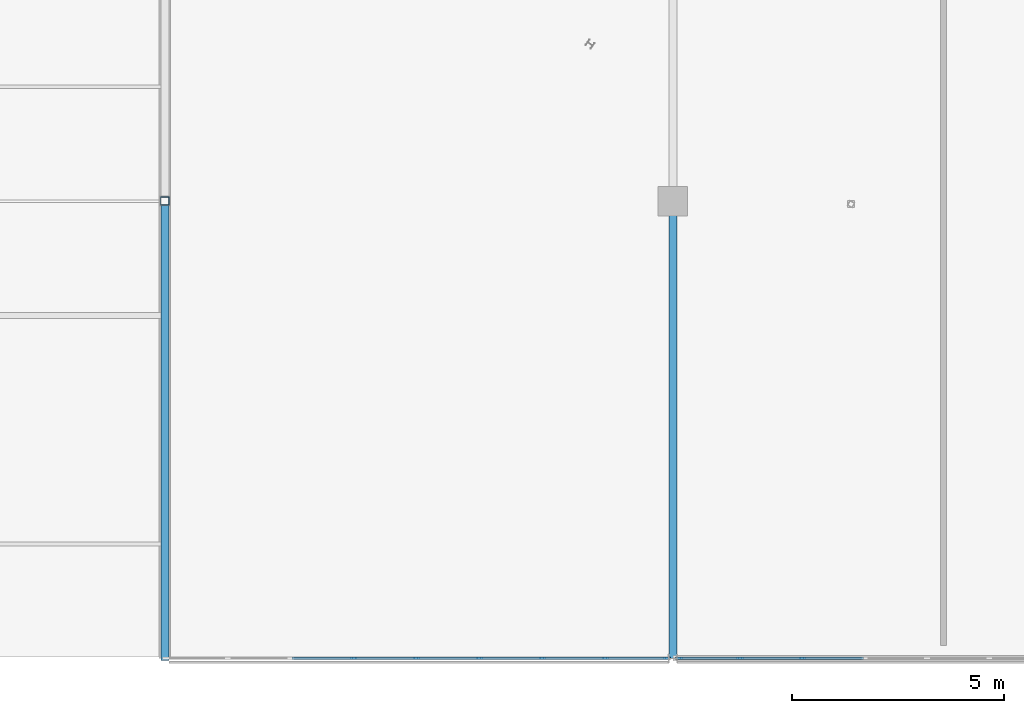
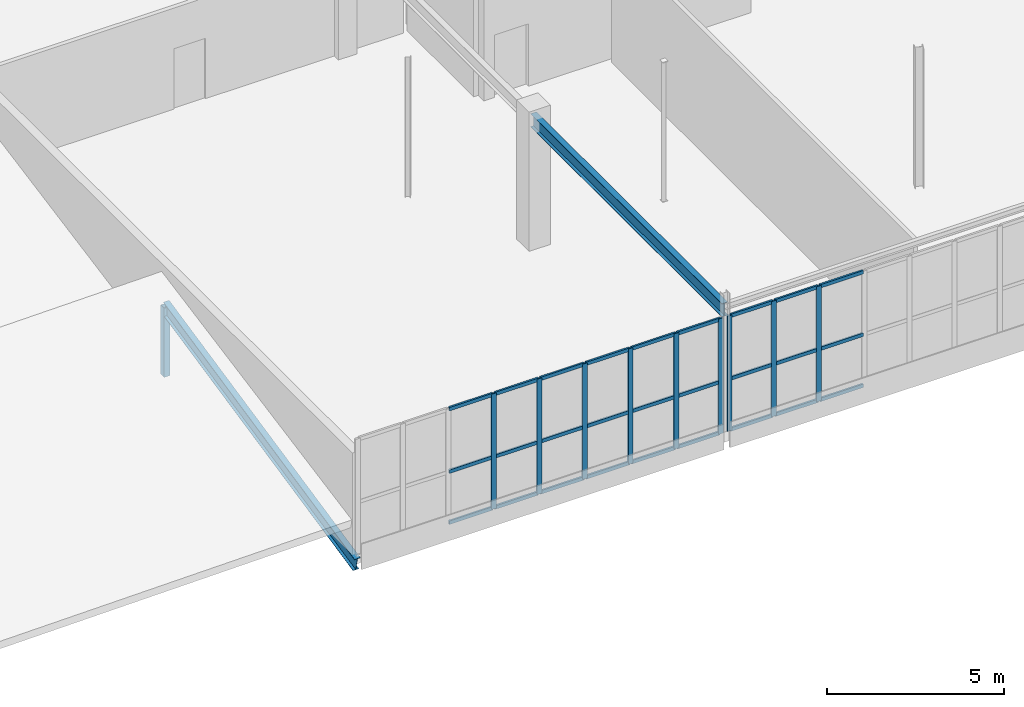
# One storey, part 67 of 226: 38 members, 1 beam, 2 elements without a shape of their own.
"""IFC4 building model written with IfcOpenShell, lengths in metres."""

from ifc_helpers import new_model, si_unit, direction, frame, origin, origin_2d, place, context, subcontext, project, spatial, rectangle, hollow_rectangle, i_section, extrude, material, layer, layer_set, material_profile, profile_set, type_object, element, aggregate, save


model = new_model("IFC4")

# Units and contexts
model_context = context("Model", 3, precision=1e-05, world=origin(), true_north=direction((0.0, 1.0)))
body_context = subcontext(model_context, "Body", "Model", "MODEL_VIEW")
ifc_project = project(units=[si_unit("LENGTHUNIT", "METRE"), si_unit("AREAUNIT", "SQUARE_METRE"), si_unit("VOLUMEUNIT", "CUBIC_METRE"), si_unit("PLANEANGLEUNIT", "RADIAN"), si_unit("MASSUNIT", "GRAM", prefix="KILO")], contexts=[model_context])

# Site, building, storey
site_placement = place(None, origin())
site = spatial("IfcSite", under=ifc_project, at=site_placement, CompositionType="ELEMENT")
building_placement = place(site_placement, origin())
building = spatial("IfcBuilding", under=site, at=building_placement, Name="Tarnwether General Hospital", CompositionType="ELEMENT")
storey_placement = place(building_placement, frame((0.0, 0.0, 4.800048828125)))
storey = spatial("IfcBuildingStorey", under=building, at=storey_placement, Name="L01", CompositionType="ELEMENT", Elevation=4.800048828125)

# Beam
ifc_material_1 = material(Name="Steel Grade 350 (350 MPa)", Category="steel")
ifc_material_profile_1 = material_profile(ifc_material_1, i_section(OverallWidth=0.18994140625, OverallDepth=0.45703125, WebThickness=0.009033203125, FlangeThickness=0.014404296875, at=origin_2d()), Name="460UB74.6")
ifc_profile_set_1 = profile_set([ifc_material_profile_1], Name="Steel Grade 350 (350 MPa)")
beam_type = type_object("IfcBeamType", Name="BM-G09", PredefinedType="BEAM", material=ifc_profile_set_1)
beam_placement = place(storey_placement, frame((60.0, 0.0, 4.216552734375), z_axis=(0.0, 1.0, 0.0), x_axis=(-1.0, 0.0, 0.0)))
element("IfcBeam", 1, at=beam_placement, inside=storey, type_object=beam_type, Name="Primary Girder BMG-L01-6000_0-6000_1080-1119", PredefinedType="BEAM", context=body_context, shape_type="SweptSolid", body=[
    extrude(i_section(OverallWidth=0.18994140625, OverallDepth=0.45703125, WebThickness=0.009033203125, FlangeThickness=0.014404296875, at=origin_2d()), origin(), (0.0, 0.0, 1.0), 10.800048828125),
])

# Curtain wall, members
ifc_material_2 = material(Name="Anodised aluminium", Category="aluminium")
ifc_layer = layer(ifc_material_2, 0.159912109375)
ifc_layer_set = layer_set([ifc_layer], Name="Anodised aluminium")
curtain_wall_type = type_object("IfcCurtainWallType", Name="CW-13", PredefinedType="NOTDEFINED", material=ifc_layer_set)
curtain_wall_1_placement = place(storey_placement, origin())
curtain_wall_1 = element("IfcCurtainWall", 2, at=curtain_wall_1_placement, inside=storey, type_object=curtain_wall_type, Name="Curtain Wall CWG-L01-719_0-0334", PredefinedType="NOTDEFINED")
ifc_material_3 = material(Name="Anodised aluminium", Category="aluminium")
ifc_material_profile_2 = material_profile(ifc_material_3, rectangle(XDim=0.06005859375, YDim=0.159912109375, at=origin_2d()), Name="ALU-MUL-60x160")
ifc_profile_set_2 = profile_set([ifc_material_profile_2], Name="Anodised aluminium")
member_type_1 = type_object("IfcMemberType", Name="CW-ML1", PredefinedType="MULLION", material=ifc_profile_set_2)
member_1_placement = place(storey_placement, frame((63.056884765625, 0.0, 0.0), z_axis=(0.0, 0.0, 1.0), x_axis=(0.0, -1.0, 0.0)))
member_1 = element("IfcMember", 3, at=member_1_placement, type_object=member_type_1, Name="CW-13 mullion 7", PredefinedType="MULLION", context=body_context, shape_type="SweptSolid", body=[
    extrude(rectangle(XDim=0.06005859375, YDim=0.159912109375, at=origin_2d()), origin(), (0.0, 0.0, 1.0), 3.972900390625),
])
member_2_placement = place(storey_placement, frame((61.5849609375, 0.0, 0.0), z_axis=(0.0, 0.0, 1.0), x_axis=(0.0, -1.0, 0.0)))
member_2 = element("IfcMember", 4, at=member_2_placement, type_object=member_type_1, Name="CW-13 mullion 8", PredefinedType="MULLION", context=body_context, shape_type="SweptSolid", body=[
    extrude(rectangle(XDim=0.06005859375, YDim=0.159912109375, at=origin_2d()), origin(), (0.0, 0.0, 1.0), 3.972900390625),
])
member_3_placement = place(storey_placement, frame((60.14306640625, 0.0, 0.0), z_axis=(0.0, 0.0, 1.0), x_axis=(0.0, -1.0, 0.0)))
member_3 = element("IfcMember", 5, at=member_3_placement, type_object=member_type_1, Name="CW-13 mullion 9", PredefinedType="MULLION", context=body_context, shape_type="SweptSolid", body=[
    extrude(rectangle(XDim=0.06005859375, YDim=0.159912109375, at=origin_2d()), origin(), (0.0, 0.0, 1.0), 3.972900390625),
])

curtain_wall_2_placement = place(storey_placement, origin())
curtain_wall_2 = element("IfcCurtainWall", 6, at=curtain_wall_2_placement, inside=storey, type_object=curtain_wall_type, Name="Curtain Wall CWG-L01-599_0-0335", PredefinedType="NOTDEFINED")
member_4_placement = place(storey_placement, frame((59.85693359375, 0.0, 0.0), z_axis=(0.0, 0.0, 1.0), x_axis=(0.0, -1.0, 0.0)))
member_4 = element("IfcMember", 7, at=member_4_placement, type_object=member_type_1, Name="CW-13 mullion 1", PredefinedType="MULLION", context=body_context, shape_type="SweptSolid", body=[
    extrude(rectangle(XDim=0.06005859375, YDim=0.159912109375, at=origin_2d()), origin(), (0.0, 0.0, 1.0), 3.972900390625),
])
member_5_placement = place(storey_placement, frame((58.401123046875, 0.0, 0.0), z_axis=(0.0, 0.0, 1.0), x_axis=(0.0, -1.0, 0.0)))
member_5 = element("IfcMember", 8, at=member_5_placement, type_object=member_type_1, Name="CW-13 mullion 2", PredefinedType="MULLION", context=body_context, shape_type="SweptSolid", body=[
    extrude(rectangle(XDim=0.06005859375, YDim=0.159912109375, at=origin_2d()), origin(), (0.0, 0.0, 1.0), 3.972900390625),
])
member_6_placement = place(storey_placement, frame((56.915283203125, 0.0, 0.0), z_axis=(0.0, 0.0, 1.0), x_axis=(0.0, -1.0, 0.0)))
member_6 = element("IfcMember", 9, at=member_6_placement, type_object=member_type_1, Name="CW-13 mullion 3", PredefinedType="MULLION", context=body_context, shape_type="SweptSolid", body=[
    extrude(rectangle(XDim=0.06005859375, YDim=0.159912109375, at=origin_2d()), origin(), (0.0, 0.0, 1.0), 3.972900390625),
])
member_7_placement = place(storey_placement, frame((55.429443359375, 0.0, 0.0), z_axis=(0.0, 0.0, 1.0), x_axis=(0.0, -1.0, 0.0)))
member_7 = element("IfcMember", 10, at=member_7_placement, type_object=member_type_1, Name="CW-13 mullion 4", PredefinedType="MULLION", context=body_context, shape_type="SweptSolid", body=[
    extrude(rectangle(XDim=0.06005859375, YDim=0.159912109375, at=origin_2d()), origin(), (0.0, 0.0, 1.0), 3.972900390625),
])
member_8_placement = place(storey_placement, frame((53.943603515625, 0.0, 0.0), z_axis=(0.0, 0.0, 1.0), x_axis=(0.0, -1.0, 0.0)))
member_8 = element("IfcMember", 11, at=member_8_placement, type_object=member_type_1, Name="CW-13 mullion 5", PredefinedType="MULLION", context=body_context, shape_type="SweptSolid", body=[
    extrude(rectangle(XDim=0.06005859375, YDim=0.159912109375, at=origin_2d()), origin(), (0.0, 0.0, 1.0), 3.972900390625),
])
member_9_placement = place(storey_placement, frame((52.45751953125, 0.0, 0.0), z_axis=(0.0, 0.0, 1.0), x_axis=(0.0, -1.0, 0.0)))
member_9 = element("IfcMember", 12, at=member_9_placement, type_object=member_type_1, Name="CW-13 mullion 6", PredefinedType="MULLION", context=body_context, shape_type="SweptSolid", body=[
    extrude(rectangle(XDim=0.06005859375, YDim=0.159912109375, at=origin_2d()), origin(), (0.0, 0.0, 1.0), 3.972900390625),
])

# Member
ifc_material_4 = material(Name="Anodised aluminium", Category="aluminium")
ifc_material_profile_3 = material_profile(ifc_material_4, rectangle(XDim=0.06005859375, YDim=0.1201171875, at=origin_2d()), Name="ALU-TRN-60x120")
ifc_profile_set_3 = profile_set([ifc_material_profile_3], Name="Anodised aluminium")
member_type_2 = type_object("IfcMemberType", Name="CW-TR1", PredefinedType="USERDEFINED", material=ifc_profile_set_3)
member_10_placement = place(storey_placement, frame((64.4990234375, 0.0, 0.030029296875), z_axis=(-1.0, 0.0, 0.0), x_axis=(0.0, -1.0, 0.0)))
member_10 = element("IfcMember", 13, at=member_10_placement, type_object=member_type_2, Name="CW-13 transom 6.1", ObjectType="TRANSOM", PredefinedType="USERDEFINED", context=body_context, shape_type="SweptSolid", body=[
    extrude(rectangle(XDim=0.06005859375, YDim=0.1201171875, at=origin_2d()), origin(), (0.0, 0.0, 1.0), 1.412109375),
])

member_11_placement = place(storey_placement, frame((64.4990234375, 0.0, 1.787841796875), z_axis=(-1.0, 0.0, 0.0), x_axis=(0.0, -1.0, 0.0)))
member_11 = element("IfcMember", 14, at=member_11_placement, type_object=member_type_2, Name="CW-13 transom 6.2", ObjectType="TRANSOM", PredefinedType="USERDEFINED", context=body_context, shape_type="SweptSolid", body=[
    extrude(rectangle(XDim=0.06005859375, YDim=0.1201171875, at=origin_2d()), origin(), (0.0, 0.0, 1.0), 1.412109375),
])

member_12_placement = place(storey_placement, frame((64.4990234375, 0.0, 3.94287109375), z_axis=(-1.0, 0.0, 0.0), x_axis=(0.0, -1.0, 0.0)))
member_12 = element("IfcMember", 15, at=member_12_placement, type_object=member_type_2, Name="CW-13 transom 6.3", ObjectType="TRANSOM", PredefinedType="USERDEFINED", context=body_context, shape_type="SweptSolid", body=[
    extrude(rectangle(XDim=0.06005859375, YDim=0.1201171875, at=origin_2d()), origin(), (0.0, 0.0, 1.0), 1.412109375),
])

member_13_placement = place(storey_placement, frame((63.027099609375, 0.0, 0.030029296875), z_axis=(-1.0, 0.0, 0.0), x_axis=(0.0, -1.0, 0.0)))
member_13 = element("IfcMember", 16, at=member_13_placement, type_object=member_type_2, Name="CW-13 transom 7.1", ObjectType="TRANSOM", PredefinedType="USERDEFINED", context=body_context, shape_type="SweptSolid", body=[
    extrude(rectangle(XDim=0.06005859375, YDim=0.1201171875, at=origin_2d()), origin(), (0.0, 0.0, 1.0), 1.412109375),
])

member_14_placement = place(storey_placement, frame((63.027099609375, 0.0, 1.787841796875), z_axis=(-1.0, 0.0, 0.0), x_axis=(0.0, -1.0, 0.0)))
member_14 = element("IfcMember", 17, at=member_14_placement, type_object=member_type_2, Name="CW-13 transom 7.2", ObjectType="TRANSOM", PredefinedType="USERDEFINED", context=body_context, shape_type="SweptSolid", body=[
    extrude(rectangle(XDim=0.06005859375, YDim=0.1201171875, at=origin_2d()), origin(), (0.0, 0.0, 1.0), 1.412109375),
])

member_15_placement = place(storey_placement, frame((63.027099609375, 0.0, 3.94287109375), z_axis=(-1.0, 0.0, 0.0), x_axis=(0.0, -1.0, 0.0)))
member_15 = element("IfcMember", 18, at=member_15_placement, type_object=member_type_2, Name="CW-13 transom 7.3", ObjectType="TRANSOM", PredefinedType="USERDEFINED", context=body_context, shape_type="SweptSolid", body=[
    extrude(rectangle(XDim=0.06005859375, YDim=0.1201171875, at=origin_2d()), origin(), (0.0, 0.0, 1.0), 1.412109375),
])

member_16_placement = place(storey_placement, frame((61.554931640625, 0.0, 0.030029296875), z_axis=(-1.0, 0.0, 0.0), x_axis=(0.0, -1.0, 0.0)))
member_16 = element("IfcMember", 19, at=member_16_placement, type_object=member_type_2, Name="CW-13 transom 8.1", ObjectType="TRANSOM", PredefinedType="USERDEFINED", context=body_context, shape_type="SweptSolid", body=[
    extrude(rectangle(XDim=0.06005859375, YDim=0.1201171875, at=origin_2d()), origin(), (0.0, 0.0, 1.0), 1.3818359375),
])

member_17_placement = place(storey_placement, frame((61.554931640625, 0.0, 1.787841796875), z_axis=(-1.0, 0.0, 0.0), x_axis=(0.0, -1.0, 0.0)))
member_17 = element("IfcMember", 20, at=member_17_placement, type_object=member_type_2, Name="CW-13 transom 8.2", ObjectType="TRANSOM", PredefinedType="USERDEFINED", context=body_context, shape_type="SweptSolid", body=[
    extrude(rectangle(XDim=0.06005859375, YDim=0.1201171875, at=origin_2d()), origin(), (0.0, 0.0, 1.0), 1.3818359375),
])

member_18_placement = place(storey_placement, frame((61.554931640625, 0.0, 3.94287109375), z_axis=(-1.0, 0.0, 0.0), x_axis=(0.0, -1.0, 0.0)))
member_18 = element("IfcMember", 21, at=member_18_placement, type_object=member_type_2, Name="CW-13 transom 8.3", ObjectType="TRANSOM", PredefinedType="USERDEFINED", context=body_context, shape_type="SweptSolid", body=[
    extrude(rectangle(XDim=0.06005859375, YDim=0.1201171875, at=origin_2d()), origin(), (0.0, 0.0, 1.0), 1.3818359375),
])

aggregate(curtain_wall_1, [member_1, member_2, member_3, member_10, member_11, member_12, member_13, member_14, member_15, member_16, member_17, member_18])

member_19_placement = place(storey_placement, frame((59.826904296875, 0.0, 0.030029296875), z_axis=(-1.0, 0.0, 0.0), x_axis=(0.0, -1.0, 0.0)))
member_19 = element("IfcMember", 22, at=member_19_placement, type_object=member_type_2, Name="CW-13 transom 1.1", ObjectType="TRANSOM", PredefinedType="USERDEFINED", context=body_context, shape_type="SweptSolid", body=[
    extrude(rectangle(XDim=0.06005859375, YDim=0.1201171875, at=origin_2d()), origin(), (0.0, 0.0, 1.0), 1.395751953125),
])

member_20_placement = place(storey_placement, frame((59.826904296875, 0.0, 1.787841796875), z_axis=(-1.0, 0.0, 0.0), x_axis=(0.0, -1.0, 0.0)))
member_20 = element("IfcMember", 23, at=member_20_placement, type_object=member_type_2, Name="CW-13 transom 1.2", ObjectType="TRANSOM", PredefinedType="USERDEFINED", context=body_context, shape_type="SweptSolid", body=[
    extrude(rectangle(XDim=0.06005859375, YDim=0.1201171875, at=origin_2d()), origin(), (0.0, 0.0, 1.0), 1.395751953125),
])

member_21_placement = place(storey_placement, frame((59.826904296875, 0.0, 3.94287109375), z_axis=(-1.0, 0.0, 0.0), x_axis=(0.0, -1.0, 0.0)))
member_21 = element("IfcMember", 24, at=member_21_placement, type_object=member_type_2, Name="CW-13 transom 1.3", ObjectType="TRANSOM", PredefinedType="USERDEFINED", context=body_context, shape_type="SweptSolid", body=[
    extrude(rectangle(XDim=0.06005859375, YDim=0.1201171875, at=origin_2d()), origin(), (0.0, 0.0, 1.0), 1.395751953125),
])

member_22_placement = place(storey_placement, frame((58.37109375, 0.0, 0.030029296875), z_axis=(-1.0, 0.0, 0.0), x_axis=(0.0, -1.0, 0.0)))
member_22 = element("IfcMember", 25, at=member_22_placement, type_object=member_type_2, Name="CW-13 transom 2.1", ObjectType="TRANSOM", PredefinedType="USERDEFINED", context=body_context, shape_type="SweptSolid", body=[
    extrude(rectangle(XDim=0.06005859375, YDim=0.1201171875, at=origin_2d()), origin(), (0.0, 0.0, 1.0), 1.42578125),
])

member_23_placement = place(storey_placement, frame((58.37109375, 0.0, 1.787841796875), z_axis=(-1.0, 0.0, 0.0), x_axis=(0.0, -1.0, 0.0)))
member_23 = element("IfcMember", 26, at=member_23_placement, type_object=member_type_2, Name="CW-13 transom 2.2", ObjectType="TRANSOM", PredefinedType="USERDEFINED", context=body_context, shape_type="SweptSolid", body=[
    extrude(rectangle(XDim=0.06005859375, YDim=0.1201171875, at=origin_2d()), origin(), (0.0, 0.0, 1.0), 1.42578125),
])

member_24_placement = place(storey_placement, frame((58.37109375, 0.0, 3.94287109375), z_axis=(-1.0, 0.0, 0.0), x_axis=(0.0, -1.0, 0.0)))
member_24 = element("IfcMember", 27, at=member_24_placement, type_object=member_type_2, Name="CW-13 transom 2.3", ObjectType="TRANSOM", PredefinedType="USERDEFINED", context=body_context, shape_type="SweptSolid", body=[
    extrude(rectangle(XDim=0.06005859375, YDim=0.1201171875, at=origin_2d()), origin(), (0.0, 0.0, 1.0), 1.42578125),
])

member_25_placement = place(storey_placement, frame((56.88525390625, 0.0, 0.030029296875), z_axis=(-1.0, 0.0, 0.0), x_axis=(0.0, -1.0, 0.0)))
member_25 = element("IfcMember", 28, at=member_25_placement, type_object=member_type_2, Name="CW-13 transom 3.1", ObjectType="TRANSOM", PredefinedType="USERDEFINED", context=body_context, shape_type="SweptSolid", body=[
    extrude(rectangle(XDim=0.06005859375, YDim=0.1201171875, at=origin_2d()), origin(), (0.0, 0.0, 1.0), 1.42578125),
])

member_26_placement = place(storey_placement, frame((56.88525390625, 0.0, 1.787841796875), z_axis=(-1.0, 0.0, 0.0), x_axis=(0.0, -1.0, 0.0)))
member_26 = element("IfcMember", 29, at=member_26_placement, type_object=member_type_2, Name="CW-13 transom 3.2", ObjectType="TRANSOM", PredefinedType="USERDEFINED", context=body_context, shape_type="SweptSolid", body=[
    extrude(rectangle(XDim=0.06005859375, YDim=0.1201171875, at=origin_2d()), origin(), (0.0, 0.0, 1.0), 1.42578125),
])

member_27_placement = place(storey_placement, frame((56.88525390625, 0.0, 3.94287109375), z_axis=(-1.0, 0.0, 0.0), x_axis=(0.0, -1.0, 0.0)))
member_27 = element("IfcMember", 30, at=member_27_placement, type_object=member_type_2, Name="CW-13 transom 3.3", ObjectType="TRANSOM", PredefinedType="USERDEFINED", context=body_context, shape_type="SweptSolid", body=[
    extrude(rectangle(XDim=0.06005859375, YDim=0.1201171875, at=origin_2d()), origin(), (0.0, 0.0, 1.0), 1.42578125),
])

member_28_placement = place(storey_placement, frame((55.3994140625, 0.0, 0.030029296875), z_axis=(-1.0, 0.0, 0.0), x_axis=(0.0, -1.0, 0.0)))
member_28 = element("IfcMember", 31, at=member_28_placement, type_object=member_type_2, Name="CW-13 transom 4.1", ObjectType="TRANSOM", PredefinedType="USERDEFINED", context=body_context, shape_type="SweptSolid", body=[
    extrude(rectangle(XDim=0.06005859375, YDim=0.1201171875, at=origin_2d()), origin(), (0.0, 0.0, 1.0), 1.426025390625),
])

member_29_placement = place(storey_placement, frame((55.3994140625, 0.0, 1.787841796875), z_axis=(-1.0, 0.0, 0.0), x_axis=(0.0, -1.0, 0.0)))
member_29 = element("IfcMember", 32, at=member_29_placement, type_object=member_type_2, Name="CW-13 transom 4.2", ObjectType="TRANSOM", PredefinedType="USERDEFINED", context=body_context, shape_type="SweptSolid", body=[
    extrude(rectangle(XDim=0.06005859375, YDim=0.1201171875, at=origin_2d()), origin(), (0.0, 0.0, 1.0), 1.426025390625),
])

member_30_placement = place(storey_placement, frame((55.3994140625, 0.0, 3.94287109375), z_axis=(-1.0, 0.0, 0.0), x_axis=(0.0, -1.0, 0.0)))
member_30 = element("IfcMember", 33, at=member_30_placement, type_object=member_type_2, Name="CW-13 transom 4.3", ObjectType="TRANSOM", PredefinedType="USERDEFINED", context=body_context, shape_type="SweptSolid", body=[
    extrude(rectangle(XDim=0.06005859375, YDim=0.1201171875, at=origin_2d()), origin(), (0.0, 0.0, 1.0), 1.426025390625),
])

member_31_placement = place(storey_placement, frame((53.91357421875, 0.0, 0.030029296875), z_axis=(-1.0, 0.0, 0.0), x_axis=(0.0, -1.0, 0.0)))
member_31 = element("IfcMember", 34, at=member_31_placement, type_object=member_type_2, Name="CW-13 transom 5.1", ObjectType="TRANSOM", PredefinedType="USERDEFINED", context=body_context, shape_type="SweptSolid", body=[
    extrude(rectangle(XDim=0.06005859375, YDim=0.1201171875, at=origin_2d()), origin(), (0.0, 0.0, 1.0), 1.426025390625),
])

member_32_placement = place(storey_placement, frame((53.91357421875, 0.0, 1.787841796875), z_axis=(-1.0, 0.0, 0.0), x_axis=(0.0, -1.0, 0.0)))
member_32 = element("IfcMember", 35, at=member_32_placement, type_object=member_type_2, Name="CW-13 transom 5.2", ObjectType="TRANSOM", PredefinedType="USERDEFINED", context=body_context, shape_type="SweptSolid", body=[
    extrude(rectangle(XDim=0.06005859375, YDim=0.1201171875, at=origin_2d()), origin(), (0.0, 0.0, 1.0), 1.426025390625),
])

member_33_placement = place(storey_placement, frame((53.91357421875, 0.0, 3.94287109375), z_axis=(-1.0, 0.0, 0.0), x_axis=(0.0, -1.0, 0.0)))
member_33 = element("IfcMember", 36, at=member_33_placement, type_object=member_type_2, Name="CW-13 transom 5.3", ObjectType="TRANSOM", PredefinedType="USERDEFINED", context=body_context, shape_type="SweptSolid", body=[
    extrude(rectangle(XDim=0.06005859375, YDim=0.1201171875, at=origin_2d()), origin(), (0.0, 0.0, 1.0), 1.426025390625),
])

member_34_placement = place(storey_placement, frame((52.427734375, 0.0, 0.030029296875), z_axis=(-1.0, 0.0, 0.0), x_axis=(0.0, -1.0, 0.0)))
member_34 = element("IfcMember", 37, at=member_34_placement, type_object=member_type_2, Name="CW-13 transom 6.1", ObjectType="TRANSOM", PredefinedType="USERDEFINED", context=body_context, shape_type="SweptSolid", body=[
    extrude(rectangle(XDim=0.06005859375, YDim=0.1201171875, at=origin_2d()), origin(), (0.0, 0.0, 1.0), 1.426025390625),
])

member_35_placement = place(storey_placement, frame((52.427734375, 0.0, 1.787841796875), z_axis=(-1.0, 0.0, 0.0), x_axis=(0.0, -1.0, 0.0)))
member_35 = element("IfcMember", 38, at=member_35_placement, type_object=member_type_2, Name="CW-13 transom 6.2", ObjectType="TRANSOM", PredefinedType="USERDEFINED", context=body_context, shape_type="SweptSolid", body=[
    extrude(rectangle(XDim=0.06005859375, YDim=0.1201171875, at=origin_2d()), origin(), (0.0, 0.0, 1.0), 1.426025390625),
])

member_36_placement = place(storey_placement, frame((52.427734375, 0.0, 3.94287109375), z_axis=(-1.0, 0.0, 0.0), x_axis=(0.0, -1.0, 0.0)))
member_36 = element("IfcMember", 39, at=member_36_placement, type_object=member_type_2, Name="CW-13 transom 6.3", ObjectType="TRANSOM", PredefinedType="USERDEFINED", context=body_context, shape_type="SweptSolid", body=[
    extrude(rectangle(XDim=0.06005859375, YDim=0.1201171875, at=origin_2d()), origin(), (0.0, 0.0, 1.0), 1.426025390625),
])

aggregate(curtain_wall_2, [member_4, member_5, member_6, member_7, member_8, member_9, member_19, member_20, member_21, member_22, member_23, member_24, member_25, member_26, member_27, member_28, member_29, member_30, member_31, member_32, member_33, member_34, member_35, member_36])

# Members
ifc_material_5 = material(Name="Steel Grade C350L0 (350 MPa)", Category="steel")
ifc_material_profile_4 = material_profile(ifc_material_5, hollow_rectangle(XDim=0.199951171875, YDim=0.199951171875, WallThickness=0.010009765625, at=origin_2d()), Name="SHS200x200x10")
ifc_profile_set_4 = profile_set([ifc_material_profile_4], Name="Steel Grade C350L0 (350 MPa)")
member_type_3 = type_object("IfcMemberType", Name="MB-BR8", PredefinedType="BRACE", material=ifc_profile_set_4)
member_37_placement = place(storey_placement, frame((48.0, 10.800048828125, -0.380126953125), z_axis=(0.0, 0.0, 1.0), x_axis=(1.0, 0.0, 0.0)))
element("IfcMember", 40, at=member_37_placement, inside=storey, type_object=member_type_3, Name="Emergency Sawtooth Web Strut 031", PredefinedType="BRACE", context=body_context, shape_type="SweptSolid", body=[
    extrude(hollow_rectangle(XDim=0.199951171875, YDim=0.199951171875, WallThickness=0.010009765625, at=origin_2d()), origin(), (0.0, 0.0, 1.0), 2.380126953125),
])
ifc_material_6 = material(Name="Steel Grade 350 (350 MPa)", Category="steel")
ifc_material_profile_5 = material_profile(ifc_material_6, i_section(OverallWidth=0.18994140625, OverallDepth=0.4541015625, WebThickness=0.008544921875, FlangeThickness=0.0126953125, at=origin_2d()), Name="460UB67.1")
ifc_profile_set_5 = profile_set([ifc_material_profile_5], Name="Steel Grade 350 (350 MPa)")
member_type_4 = type_object("IfcMemberType", Name="MB-RF3", PredefinedType="RAFTER", material=ifc_profile_set_5)
member_38_placement = place(storey_placement, frame((48.0, 0.0, -0.360107421875), z_axis=(0.0, 0.977695229902, 0.210028658584), x_axis=(-1.0, 0.0, 0.0)))
element("IfcMember", 41, at=member_38_placement, inside=storey, type_object=member_type_4, Name="Emergency Sawtooth Rafter 031", PredefinedType="RAFTER", context=body_context, shape_type="SweptSolid", body=[
    extrude(i_section(OverallWidth=0.18994140625, OverallDepth=0.4541015625, WebThickness=0.008544921875, FlangeThickness=0.0126953125, at=origin_2d()), origin(), (0.0, 0.0, 1.0), 11.04638671875),
])

save(model, "model.ifc")
